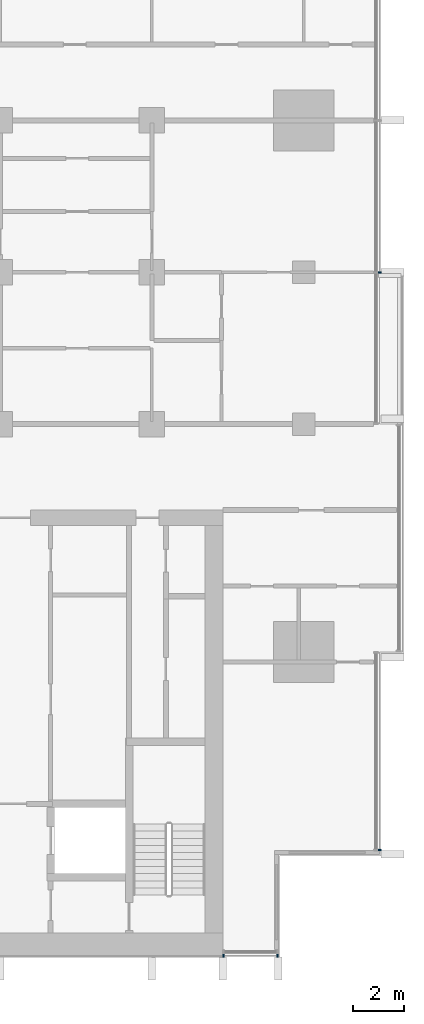
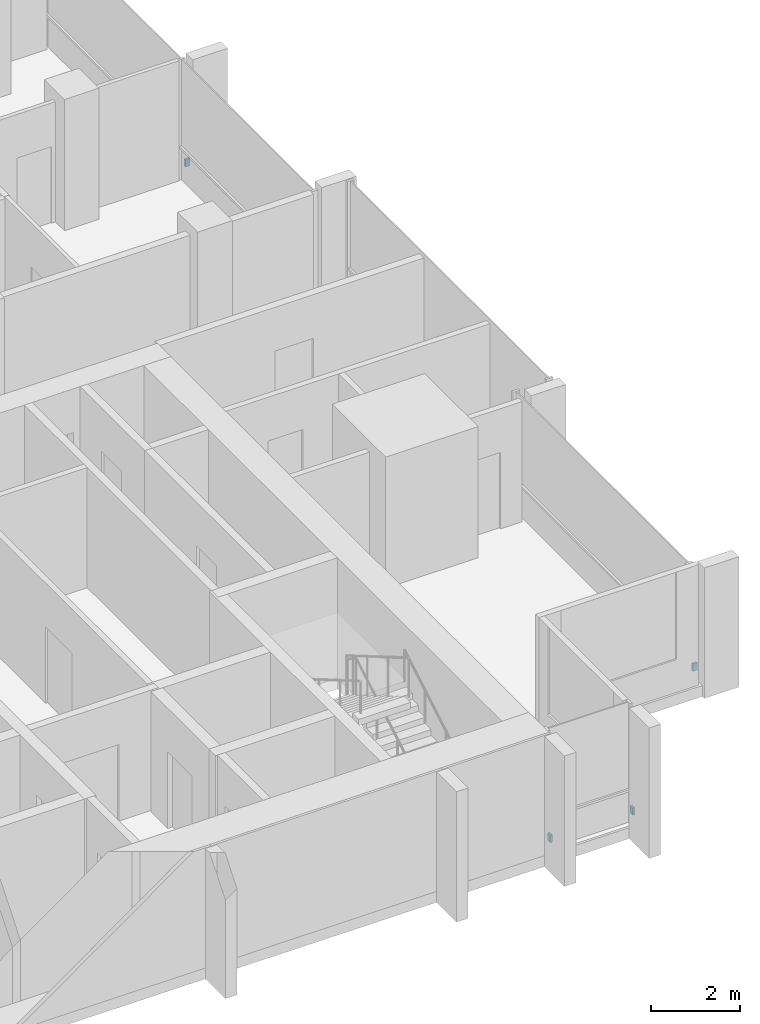
# One storey, part 13 of 16: 4 discrete accessories.
"""IFC4 building model written with IfcOpenShell, lengths in metres."""

from ifc_helpers import new_model, si_unit, direction, frame, origin, origin_2d, place, context, subcontext, project, spatial, rectangle, extrude, material, type_object, element, save


model = new_model("IFC4")

# Units and contexts
model_context = context("Model", 3, precision=1e-05, world=origin(), true_north=direction((0.0, 1.0)))
body_context = subcontext(model_context, "Body", "Model", "MODEL_VIEW")
ifc_project = project(units=[si_unit("LENGTHUNIT", "METRE"), si_unit("AREAUNIT", "SQUARE_METRE"), si_unit("VOLUMEUNIT", "CUBIC_METRE"), si_unit("PLANEANGLEUNIT", "RADIAN"), si_unit("MASSUNIT", "GRAM", prefix="KILO")], contexts=[model_context])

# Site, building, storey
site_placement = place(None, origin())
site = spatial("IfcSite", under=ifc_project, at=site_placement, CompositionType="ELEMENT")
building_placement = place(site_placement, origin())
building = spatial("IfcBuilding", under=site, at=building_placement, Name="Finial Court Residences", CompositionType="ELEMENT")
storey_placement = place(building_placement, frame((0.0, 0.0, 188.89990234375)))
storey = spatial("IfcBuildingStorey", under=building, at=storey_placement, Name="L47", CompositionType="ELEMENT", Elevation=188.89990234375)

# Discrete accessories
ifc_material = material(Name="Stainless steel 316", Category="steel")
discrete_accessory_type = type_object("IfcDiscreteAccessoryType", Name="Fin bracket, stainless steel 60 x 122 x 200", PredefinedType="BRACKET", material=ifc_material)
for number, where, z_axis, x_axis, name in (
    (1, (19.498779296875, -21.320068359375, 0.30029296875), (0.0, 0.0, 1.0), (1.0, 0.0, 0.0), "E-L47-FIN-E7-BRK"),
    (2, (19.498779296875, 1.5, 0.30029296875), (0.0, 0.0, 1.0), (1.0, 0.0, 0.0), "E-L47-FIN-E10-BRK"),
):
    element("IfcDiscreteAccessory", number, at=place(storey_placement, frame(where, z_axis=z_axis, x_axis=x_axis)), inside=storey, type_object=discrete_accessory_type, Name=name, PredefinedType="BRACKET", context=body_context, shape_type="SweptSolid", body=[
        extrude(rectangle(XDim=0.12255859375, YDim=0.06005859375, at=origin_2d()), origin(), (0.0, 0.0, 1.0), 0.199951171875),
    ])
for number, where, z_axis, x_axis, name in (
    (3, (13.330078125, -25.498779296875, 0.30029296875), (0.0, 0.0, 1.0), (1.0, 0.0, 0.0), "E-L47-FIN-S20-BRK"),
    (4, (15.469970703125, -25.498779296875, 0.30029296875), (0.0, 0.0, 1.0), (1.0, 0.0, 0.0), "E-L47-FIN-S21-BRK"),
):
    element("IfcDiscreteAccessory", number, at=place(storey_placement, frame(where, z_axis=z_axis, x_axis=x_axis)), inside=storey, type_object=discrete_accessory_type, Name=name, PredefinedType="BRACKET", context=body_context, shape_type="SweptSolid", body=[
        extrude(rectangle(XDim=0.06005859375, YDim=0.12255859375, at=origin_2d()), origin(), (0.0, 0.0, 1.0), 0.199951171875),
    ])

save(model, "model.ifc")
